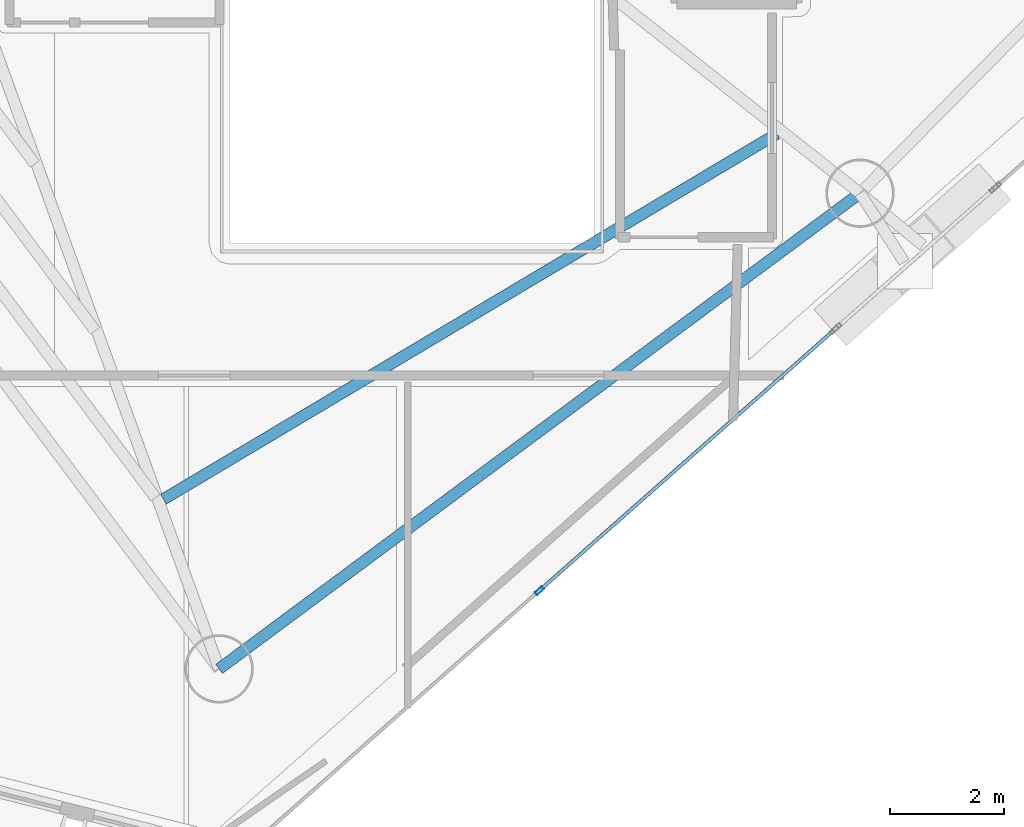
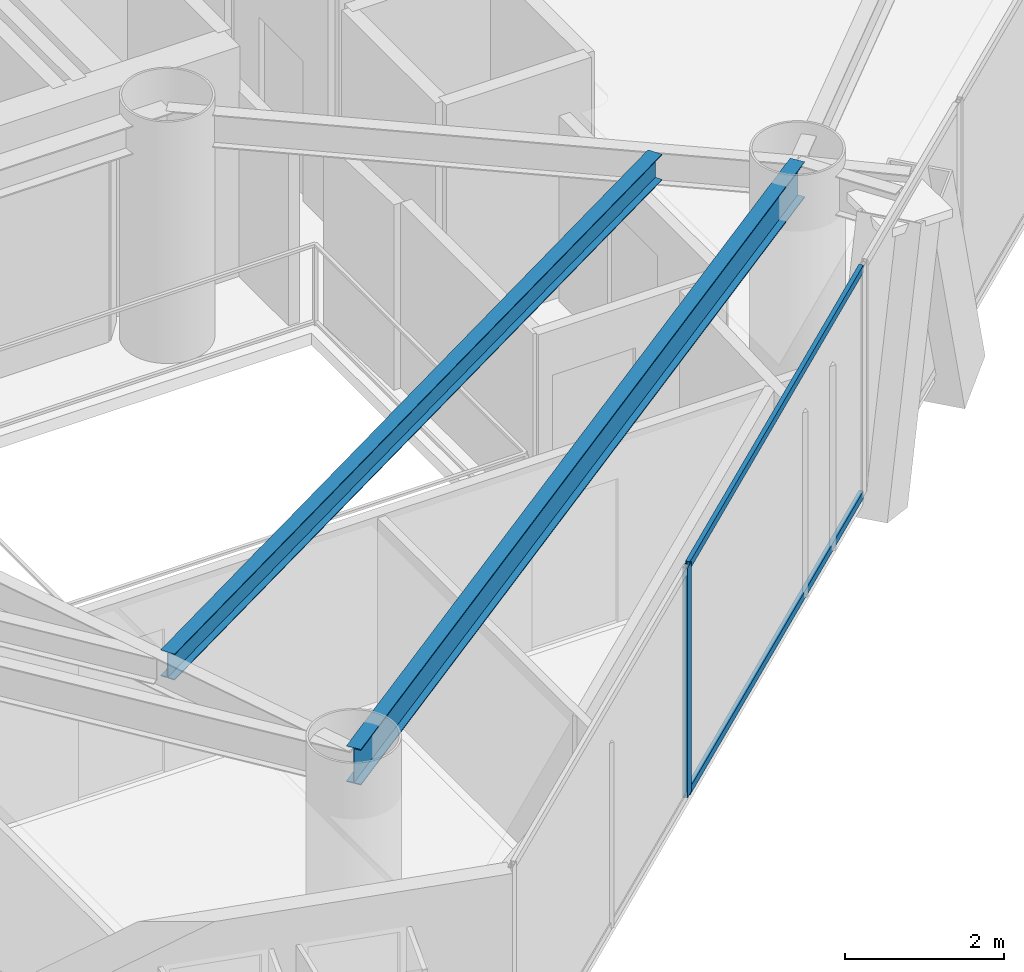
# One storey, part 5 of 23: 3 members, 2 beams, 1 element without a shape of its own.
"""IFC4 building model written with IfcOpenShell, lengths in metres."""

from ifc_helpers import new_model, si_unit, direction, frame, origin, origin_2d, place, context, subcontext, project, spatial, hollow_rectangle, i_section, extrude, material, layer, layer_set, material_profile, profile_set, type_object, element, aggregate, save


model = new_model("IFC4")

# Units and contexts
model_context = context("Model", 3, precision=1e-05, world=origin(), true_north=direction((0.0, 1.0)))
body_context = subcontext(model_context, "Body", "Model", "MODEL_VIEW")
ifc_project = project(units=[si_unit("LENGTHUNIT", "METRE"), si_unit("AREAUNIT", "SQUARE_METRE"), si_unit("VOLUMEUNIT", "CUBIC_METRE"), si_unit("PLANEANGLEUNIT", "RADIAN"), si_unit("MASSUNIT", "GRAM", prefix="KILO")], contexts=[model_context])

# Site, building, storey
site_placement = place(None, origin())
site = spatial("IfcSite", under=ifc_project, at=site_placement, CompositionType="ELEMENT")
building_placement = place(site_placement, origin())
building = spatial("IfcBuilding", under=site, at=building_placement, Name="Qianvela Tower", CompositionType="ELEMENT")
storey_placement = place(building_placement, frame((0.0, 0.0, 218.800048828125)))
storey = spatial("IfcBuildingStorey", under=building, at=storey_placement, Name="L56", CompositionType="ELEMENT", Elevation=218.800048828125)

# Beams
ifc_material_1 = material(Name="Steel Q355B", Category="steel")
ifc_material_profile_1 = material_profile(ifc_material_1, i_section(OverallWidth=0.199951171875, OverallDepth=0.39990234375, WebThickness=0.008056640625, FlangeThickness=0.012939453125, at=origin_2d()), Name="HN400x200x8x13")
ifc_profile_set_1 = profile_set([ifc_material_profile_1], Name="Steel Q355B")
beam_type_1 = type_object("IfcBeamType", Name="BM-HN400-JOIST", PredefinedType="JOIST", material=ifc_profile_set_1)
beam_1_placement = place(storey_placement, frame((32.4365234375, 13.51025390625, 3.31787109375), z_axis=(0.859083505932, 0.511835451914, 0.0), x_axis=(-0.511835451914, 0.859083505932, 0.0)))
element("IfcBeam", 1, at=beam_1_placement, inside=storey, type_object=beam_type_1, Name="L56 Secondary Composite Floor Joist 5.3", PredefinedType="JOIST", context=body_context, shape_type="SweptSolid", body=[
    extrude(i_section(OverallWidth=0.199951171875, OverallDepth=0.39990234375, WebThickness=0.008056640625, FlangeThickness=0.012939453125, at=origin_2d()), origin(), (0.0, 0.0, 1.0), 12.535888671875),
])
ifc_material_2 = material(Name="Steel Q355B", Category="steel")
ifc_material_profile_2 = material_profile(ifc_material_2, i_section(OverallWidth=0.199951171875, OverallDepth=0.550048828125, WebThickness=0.010009765625, FlangeThickness=0.01611328125, at=origin_2d()), Name="HN550x200x10x16")
ifc_profile_set_2 = profile_set([ifc_material_profile_2], Name="Steel Q355B")
beam_type_2 = type_object("IfcBeamType", Name="BM-HN550-GIRD", PredefinedType="BEAM", material=ifc_profile_set_2)
beam_2_placement = place(storey_placement, frame((33.4130859375, 10.531005859375, 3.242919921875), z_axis=(0.803016810701, 0.595956375696, 0.0), x_axis=(-0.595956375696, 0.803016810701, 0.0)))
element("IfcBeam", 2, at=beam_2_placement, inside=storey, type_object=beam_type_2, Name="L56 Perimeter Ring Spandrel Girder 5", PredefinedType="BEAM", context=body_context, shape_type="SweptSolid", body=[
    extrude(i_section(OverallWidth=0.199951171875, OverallDepth=0.550048828125, WebThickness=0.010009765625, FlangeThickness=0.01611328125, at=origin_2d()), origin(), (0.0, 0.0, 1.0), 14.0146484375),
])

# Curtain wall, members
ifc_material_3 = material(Name="Anodised Architectural Aluminium and Low-E Glass", Category="aluminium")
ifc_layer = layer(ifc_material_3, 0.159912109375)
ifc_layer_set = layer_set([ifc_layer], Name="Anodised Architectural Aluminium and Low-E Glass")
curtain_wall_type = type_object("IfcCurtainWallType", Name="CW-COLIV-Z56", PredefinedType="USERDEFINED", material=ifc_layer_set)
curtain_wall_placement = place(storey_placement, origin())
curtain_wall = element("IfcCurtainWall", 3, at=curtain_wall_placement, inside=storey, type_object=curtain_wall_type, Name="L56 CW-COLIV-Z56 Curtain Wall 06A", ObjectType="CURTAIN_WALL_SYSTEM", PredefinedType="USERDEFINED")
ifc_material_4 = material(Name="Anodised Architectural Aluminium 6063-T6", Category="aluminium")
ifc_material_profile_3 = material_profile(ifc_material_4, hollow_rectangle(XDim=0.06494140625, YDim=0.159912109375, WallThickness=0.0048828125, at=origin_2d()), Name="ALU-MULL-65x160")
ifc_profile_set_3 = profile_set([ifc_material_profile_3], Name="Anodised Architectural Aluminium 6063-T6")
member_type_1 = type_object("IfcMemberType", Name="CW-COLIV-Z56-MULL", PredefinedType="MULLION", material=ifc_profile_set_3)
member_1_placement = place(storey_placement, frame((39.036865234375, 11.90576171875, 0.0), z_axis=(0.0, 0.0, 1.0), x_axis=(-0.662268583192, 0.749266523819, 0.0)))
member_1 = element("IfcMember", 4, at=member_1_placement, type_object=member_type_1, Name="CW-5 mullion 2", PredefinedType="MULLION", context=body_context, shape_type="SweptSolid", body=[
    extrude(hollow_rectangle(XDim=0.06494140625, YDim=0.159912109375, WallThickness=0.0048828125, at=origin_2d()), origin(), (0.0, 0.0, 1.0), 3.52001953125),
])
ifc_material_5 = material(Name="Anodised Architectural Aluminium 6063-T6", Category="aluminium")
ifc_material_profile_4 = material_profile(ifc_material_5, hollow_rectangle(XDim=0.06005859375, YDim=0.114990234375, WallThickness=0.00390625, at=origin_2d()), Name="ALU-TRAN-60x115")
ifc_profile_set_4 = profile_set([ifc_material_profile_4], Name="Anodised Architectural Aluminium 6063-T6")
member_type_2 = type_object("IfcMemberType", Name="CW-COLIV-Z56-TRAN", PredefinedType="USERDEFINED", material=ifc_profile_set_4)
member_2_placement = place(storey_placement, frame((39.061279296875, 11.92724609375, 0.030029296875), z_axis=(0.749265310042, 0.662269956413, 0.0), x_axis=(-0.662269956413, 0.749265310042, 0.0)))
member_2 = element("IfcMember", 5, at=member_2_placement, type_object=member_type_2, Name="CW-5 transom 2.1", ObjectType="TRANSOM", PredefinedType="USERDEFINED", context=body_context, shape_type="SweptSolid", body=[
    extrude(hollow_rectangle(XDim=0.06005859375, YDim=0.114990234375, WallThickness=0.00390625, at=origin_2d()), origin(), (0.0, 0.0, 1.0), 6.847412109375),
])
member_3_placement = place(storey_placement, frame((39.061279296875, 11.92724609375, 3.489990234375), z_axis=(0.749265310042, 0.662269956413, 0.0), x_axis=(-0.662269956413, 0.749265310042, 0.0)))
member_3 = element("IfcMember", 6, at=member_3_placement, type_object=member_type_2, Name="CW-5 transom 2.2", ObjectType="TRANSOM", PredefinedType="USERDEFINED", context=body_context, shape_type="SweptSolid", body=[
    extrude(hollow_rectangle(XDim=0.06005859375, YDim=0.114990234375, WallThickness=0.00390625, at=origin_2d()), origin(), (0.0, 0.0, 1.0), 6.847412109375),
])
aggregate(curtain_wall, [member_1, member_2, member_3])

save(model, "model.ifc")
